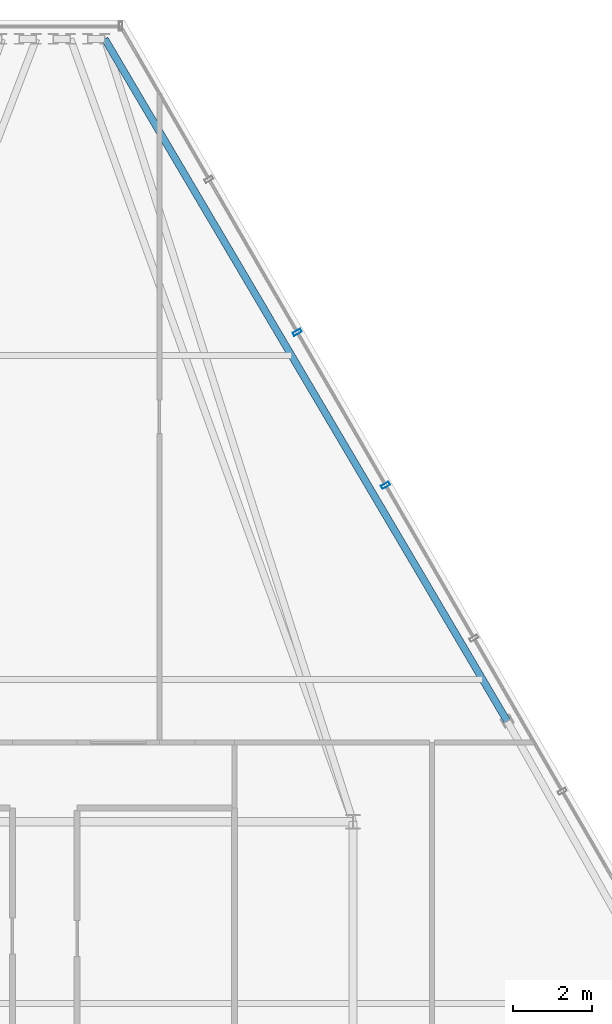
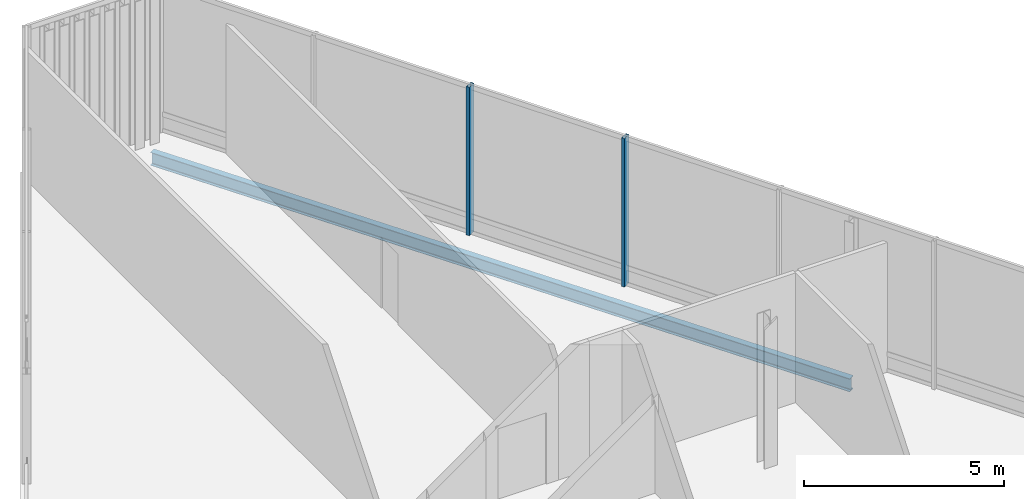
# One storey, part 13 of 25: 2 members, 1 beam, 1 element without a shape of its own.
"""IFC4 building model written with IfcOpenShell, lengths in metres."""

from ifc_helpers import new_model, si_unit, direction, frame, origin, origin_2d, place, context, subcontext, project, spatial, hollow_rectangle, i_section, extrude, material, layer, layer_set, material_profile, profile_set, type_object, element, aggregate, save


model = new_model("IFC4")

# Units and contexts
model_context = context("Model", 3, precision=1e-05, world=origin(), true_north=direction((0.0, 1.0)))
body_context = subcontext(model_context, "Body", "Model", "MODEL_VIEW")
ifc_project = project(units=[si_unit("LENGTHUNIT", "METRE"), si_unit("AREAUNIT", "SQUARE_METRE"), si_unit("VOLUMEUNIT", "CUBIC_METRE"), si_unit("PLANEANGLEUNIT", "RADIAN"), si_unit("MASSUNIT", "GRAM", prefix="KILO")], contexts=[model_context])

# Site, building, storey
site_placement = place(None, origin())
site = spatial("IfcSite", under=ifc_project, at=site_placement, CompositionType="ELEMENT")
building_placement = place(site_placement, origin())
building = spatial("IfcBuilding", under=site, at=building_placement, Name="Ndaravel Arena Tower", CompositionType="ELEMENT")
storey_placement = place(building_placement, frame((0.0, 0.0, 298.5)))
storey = spatial("IfcBuildingStorey", under=building, at=storey_placement, Name="L73", CompositionType="ELEMENT", Elevation=298.5)

# Beam
ifc_material_1 = material(Name="Steel S355", Category="steel")
ifc_material_profile_1 = material_profile(ifc_material_1, i_section(OverallWidth=0.179931640625, OverallDepth=0.39990234375, WebThickness=0.008544921875, FlangeThickness=0.013427734375, FilletRadius=0.02099609375, at=origin_2d()), Name="IPE 400")
ifc_profile_set_1 = profile_set([ifc_material_profile_1], Name="Steel S355")
beam_type = type_object("IfcBeamType", Name="BM-SPAN-IPE400", PredefinedType="SPANDREL", material=ifc_profile_set_1)
beam_placement = place(storey_placement, frame((53.7001953125, 25.745361328125, -0.47998046875), z_axis=(-0.508092559304, 0.861302473687, 0.0), x_axis=(-0.861302473687, -0.508092559304, 0.0)))
element("IfcBeam", 1, at=beam_placement, inside=storey, type_object=beam_type, Name="L73 Perimeter Spandrel Beam SP-10", PredefinedType="SPANDREL", context=body_context, shape_type="SweptSolid", body=[
    extrude(i_section(OverallWidth=0.179931640625, OverallDepth=0.39990234375, WebThickness=0.008544921875, FlangeThickness=0.013427734375, FilletRadius=0.02099609375, at=origin_2d()), origin(), (0.0, 0.0, 1.0), 20.03955078125),
])

# Curtain wall, members
ifc_material_2 = material(Name="Aluminium", Category="aluminium")
ifc_layer = layer(ifc_material_2, 0.179931640625)
ifc_layer_set = layer_set([ifc_layer], Name="Aluminium")
curtain_wall_type = type_object("IfcCurtainWallType", Name="CW-SYS-04", PredefinedType="NOTDEFINED", material=ifc_layer_set)
curtain_wall_placement = place(storey_placement, origin())
curtain_wall = element("IfcCurtainWall", 2, at=curtain_wall_placement, inside=storey, type_object=curtain_wall_type, Name="L73 Faceted Crystal Curtain Wall CW-L73-E03", PredefinedType="NOTDEFINED")
ifc_material_3 = material(Name="Aluminium", Category="aluminium")
ifc_material_profile_2 = material_profile(ifc_material_3, hollow_rectangle(XDim=0.090087890625, YDim=0.219970703125, WallThickness=0.0048828125, at=origin_2d()), Name="CW MULLION 90x220x5")
ifc_profile_set_2 = profile_set([ifc_material_profile_2], Name="Aluminium")
member_type = type_object("IfcMemberType", Name="MEM-CW-MUL220", PredefinedType="MULLION", material=ifc_profile_set_2)
member_1_placement = place(storey_placement, frame((50.624755859375, 31.7119140625, 0.0), z_axis=(0.0, 0.0, 1.0), x_axis=(-0.5, 0.866025403784, 0.0)))
member_1 = element("IfcMember", 3, at=member_1_placement, type_object=member_type, Name="CW-L73-E03 Mullion 06", PredefinedType="MULLION", context=body_context, shape_type="SweptSolid", body=[
    extrude(hollow_rectangle(XDim=0.090087890625, YDim=0.219970703125, WallThickness=0.0048828125, at=origin_2d()), origin(), (0.0, 0.0, 1.0), 4.52001953125),
])
member_2_placement = place(storey_placement, frame((48.389892578125, 35.5830078125, 0.0), z_axis=(0.0, 0.0, 1.0), x_axis=(-0.5, 0.866025403784, 0.0)))
member_2 = element("IfcMember", 4, at=member_2_placement, type_object=member_type, Name="CW-L73-E03 Mullion 07", PredefinedType="MULLION", context=body_context, shape_type="SweptSolid", body=[
    extrude(hollow_rectangle(XDim=0.090087890625, YDim=0.219970703125, WallThickness=0.0048828125, at=origin_2d()), origin(), (0.0, 0.0, 1.0), 4.52001953125),
])
aggregate(curtain_wall, [member_1, member_2])

save(model, "model.ifc")
